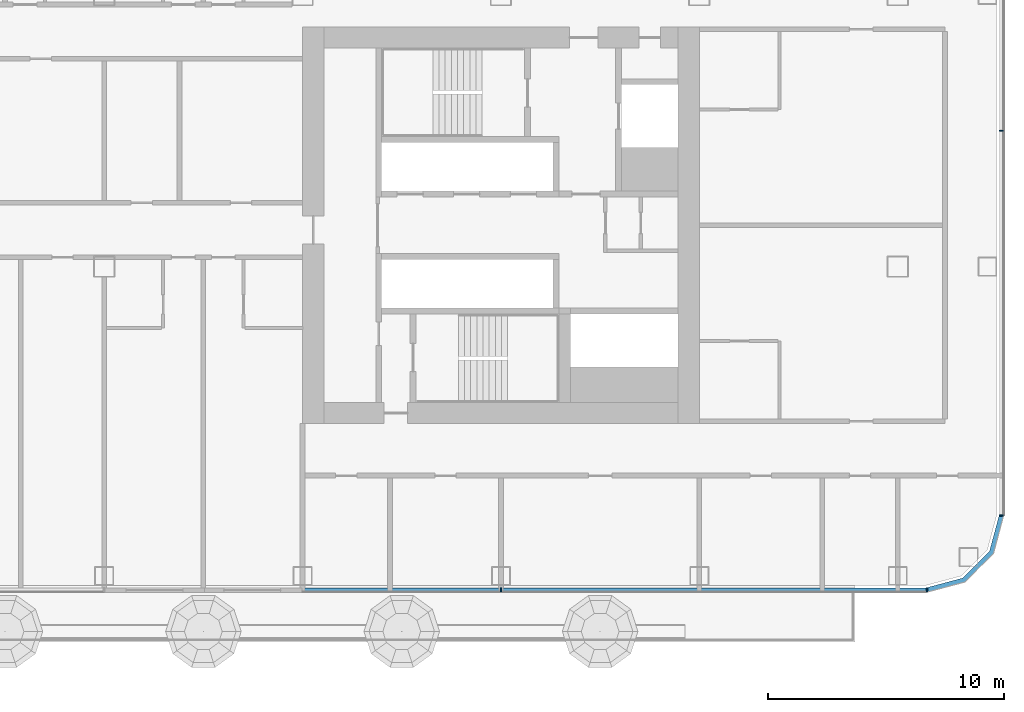
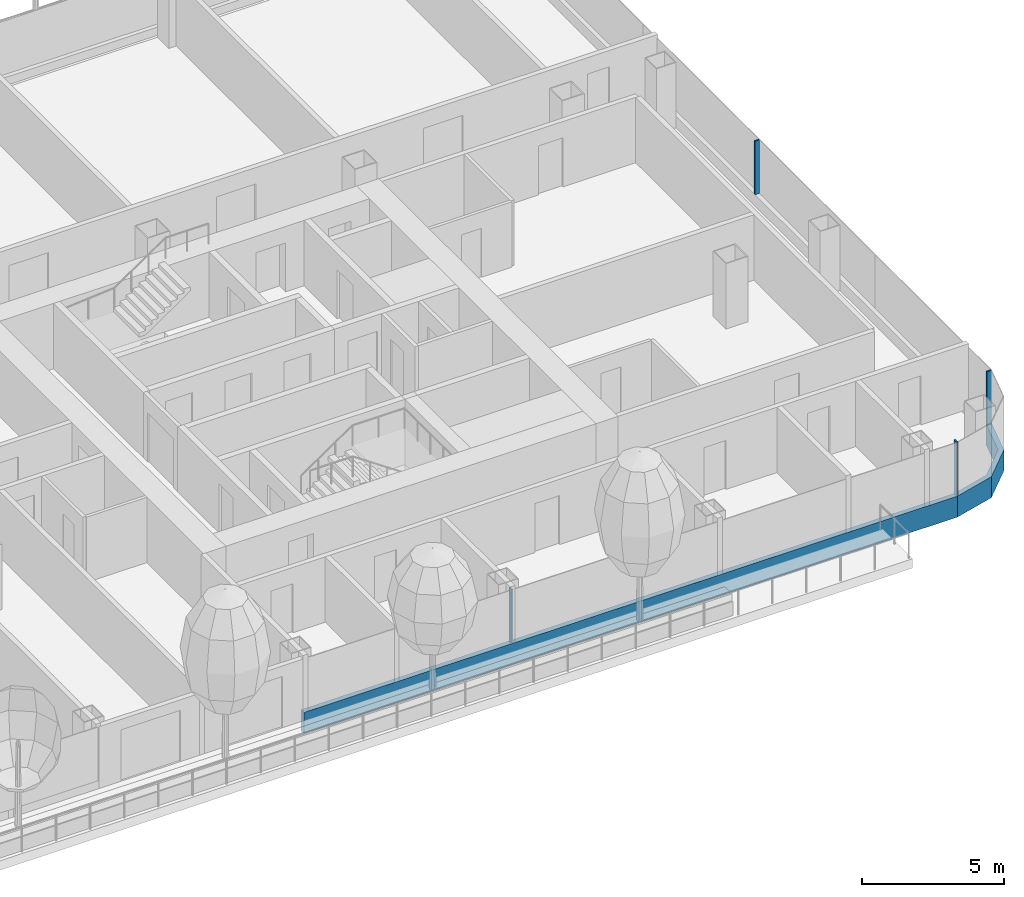
# One storey, part 7 of 34: 6 members, 3 elements without a shape of their own.
"""IFC4 building model written with IfcOpenShell, lengths in metres."""

from ifc_helpers import new_model, si_unit, direction, frame, origin, origin_2d, place, context, subcontext, project, spatial, polyline, rectangle, outline, extrude, material, layer, layer_set, material_profile, profile_set, type_object, element, aggregate, save


model = new_model("IFC4")

# Units and contexts
model_context = context("Model", 3, precision=1e-05, world=origin(), true_north=direction((0.0, 1.0)))
body_context = subcontext(model_context, "Body", "Model", "MODEL_VIEW")
ifc_project = project(units=[si_unit("LENGTHUNIT", "METRE"), si_unit("AREAUNIT", "SQUARE_METRE"), si_unit("VOLUMEUNIT", "CUBIC_METRE"), si_unit("PLANEANGLEUNIT", "RADIAN"), si_unit("MASSUNIT", "GRAM", prefix="KILO")], contexts=[model_context])

# Site, building, storey
site_placement = place(None, origin())
site = spatial("IfcSite", under=ifc_project, at=site_placement, CompositionType="ELEMENT")
building_placement = place(site_placement, origin())
building = spatial("IfcBuilding", under=site, at=building_placement, Name="Hakoniwa Tower and Hamabe Station Hall", CompositionType="ELEMENT")
storey_placement = place(building_placement, frame((0.0, 0.0, 94.60009765625)))
storey = spatial("IfcBuildingStorey", under=building, at=storey_placement, Name="L26", CompositionType="ELEMENT", Elevation=94.60009765625)

# Curtain wall, member
ifc_material_1 = material(Name="Dark low-e laminated glass", Category="glass")
ifc_layer = layer(ifc_material_1, 0.199951171875)
ifc_layer_set = layer_set([ifc_layer], Name="CW-1 UNITISED GUEST")
curtain_wall_type = type_object("IfcCurtainWallType", Name="CW-1 UNITISED GUEST", PredefinedType="NOTDEFINED", material=ifc_layer_set)
curtain_wall_1_placement = place(storey_placement, origin())
curtain_wall_1 = element("IfcCurtainWall", 1, at=curtain_wall_1_placement, inside=storey, type_object=curtain_wall_type, Name="CW-1 curtain wall", PredefinedType="NOTDEFINED")
ifc_material_2 = material(Name="Aluminium 6063-T5 black anodised", Category="aluminium")
ifc_material_profile_1 = material_profile(ifc_material_2, rectangle(XDim=0.199951171875, YDim=0.89990234375, at=origin_2d()), Name="CW SLAB-EDGE BAND 900X200")
ifc_profile_set_1 = profile_set([ifc_material_profile_1], Name="Aluminium 6063-T5 black anodised")
member_type_1 = type_object("IfcMemberType", Name="CW SLAB-EDGE BAND 900X200", PredefinedType="USERDEFINED", material=ifc_profile_set_1)
member_1_placement = place(storey_placement, frame((16.739990234375, -15.449951171875, -0.10009765625), z_axis=(1.0, 0.0, 0.0), x_axis=(0.0, 1.0, 0.0)))
member_1 = element("IfcMember", 2, at=member_1_placement, type_object=member_type_1, Name="CW-1 transom", ObjectType="TRANSOM", PredefinedType="USERDEFINED", context=body_context, shape_type="SweptSolid", body=[
    extrude(rectangle(XDim=0.199951171875, YDim=0.89990234375, at=origin_2d()), origin(), (0.0, 0.0, 1.0), 26.49951171875),
])

curtain_wall_2_placement = place(storey_placement, origin())
curtain_wall_2 = element("IfcCurtainWall", 3, at=curtain_wall_2_placement, inside=storey, type_object=curtain_wall_type, Name="CW-1 curtain wall", PredefinedType="NOTDEFINED")
member_2_placement = place(storey_placement, frame((0.0, 0.0, -0.550048828125)))
member_2 = element("IfcMember", 4, at=member_2_placement, type_object=member_type_1, Name="CW-1 transom", ObjectType="TRANSOM", PredefinedType="USERDEFINED", context=body_context, shape_type="SweptSolid", body=[
    extrude(outline(polyline([(43.239501953125, -15.550048828125), (44.855224609375, -15.116943359375), (46.067138671875, -13.9052734375), (46.5, -12.28955078125), (46.306884765625, -12.23779296875), (45.8876953125, -13.8017578125), (44.751708984375, -14.937744140625), (43.187744140625, -15.35693359375), (43.239501953125, -15.550048828125)])), origin(), (0.0, 0.0, 1.0), 0.89990234375),
])
aggregate(curtain_wall_2, [member_2])

# Curtain wall, members
curtain_wall_3_placement = place(storey_placement, origin())
curtain_wall_3 = element("IfcCurtainWall", 5, at=curtain_wall_3_placement, inside=storey, type_object=curtain_wall_type, Name="CW-1 curtain wall", PredefinedType="NOTDEFINED")
ifc_material_3 = material(Name="Aluminium 6063-T5 black anodised", Category="aluminium")
ifc_material_profile_2 = material_profile(ifc_material_3, rectangle(XDim=0.06005859375, YDim=0.179931640625, at=origin_2d()), Name="CW-1 MULLION 60X180")
ifc_profile_set_2 = profile_set([ifc_material_profile_2], Name="Aluminium 6063-T5 black anodised")
member_type_2 = type_object("IfcMemberType", Name="CW-1 MULLION 60X180", PredefinedType="MULLION", material=ifc_profile_set_2)
member_3_placement = place(storey_placement, frame((46.382080078125, -12.28955078125, 0.349853515625), z_axis=(0.0, 0.0, 1.0), x_axis=(0.0, 1.0, 0.0)))
member_3 = element("IfcMember", 6, at=member_3_placement, type_object=member_type_2, Name="CW-1 mullion", PredefinedType="MULLION", context=body_context, shape_type="SweptSolid", body=[
    extrude(rectangle(XDim=0.06005859375, YDim=0.179931640625, at=origin_2d()), origin(), (0.0, 0.0, 1.0), 2.300048828125),
])
member_4_placement = place(storey_placement, frame((46.382080078125, 4.0, 0.349853515625), z_axis=(0.0, 0.0, 1.0), x_axis=(0.0, 1.0, 0.0)))
member_4 = element("IfcMember", 7, at=member_4_placement, type_object=member_type_2, Name="CW-1 mullion", PredefinedType="MULLION", context=body_context, shape_type="SweptSolid", body=[
    extrude(rectangle(XDim=0.06005859375, YDim=0.179931640625, at=origin_2d()), origin(), (0.0, 0.0, 1.0), 2.300048828125),
])
aggregate(curtain_wall_3, [member_3, member_4])

# Member
member_5_placement = place(storey_placement, frame((25.199951171875, -15.431884765625, 0.349853515625), z_axis=(0.0, 0.0, 1.0), x_axis=(1.0, 0.0, 0.0)))
member_5 = element("IfcMember", 8, at=member_5_placement, type_object=member_type_2, Name="CW-1 mullion", PredefinedType="MULLION", context=body_context, shape_type="SweptSolid", body=[
    extrude(rectangle(XDim=0.06005859375, YDim=0.179931640625, at=origin_2d()), origin(), (0.0, 0.0, 1.0), 2.300048828125),
])

member_6_placement = place(storey_placement, frame((43.239501953125, -15.431884765625, 0.349853515625), z_axis=(0.0, 0.0, 1.0), x_axis=(1.0, 0.0, 0.0)))
member_6 = element("IfcMember", 9, at=member_6_placement, type_object=member_type_2, Name="CW-1 mullion", PredefinedType="MULLION", context=body_context, shape_type="SweptSolid", body=[
    extrude(rectangle(XDim=0.06005859375, YDim=0.179931640625, at=origin_2d()), origin(), (0.0, 0.0, 1.0), 2.300048828125),
])

aggregate(curtain_wall_1, [member_5, member_6, member_1])

save(model, "model.ifc")
